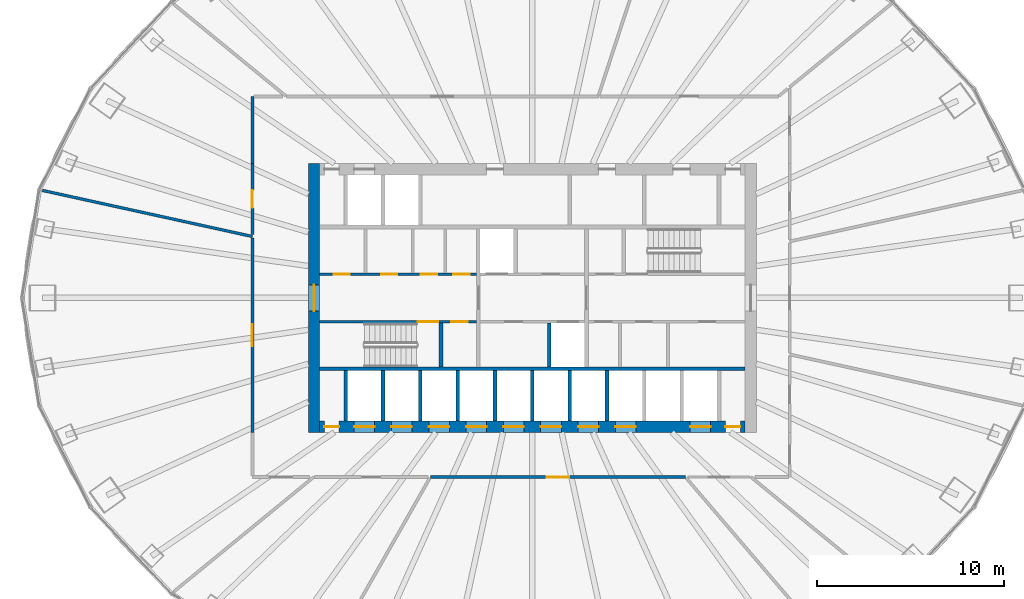
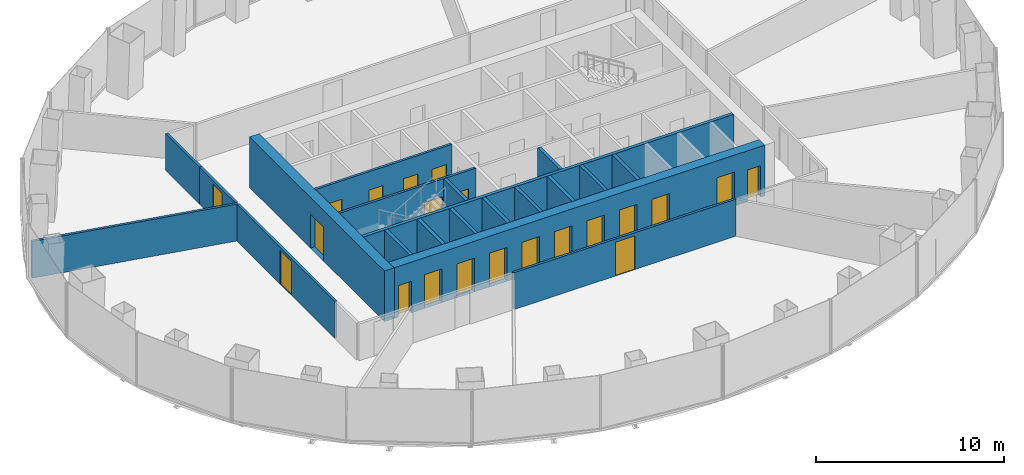
# One storey, part 8 of 11: 21 doors, 20 walls, 21 openings.
"""IFC4 building model written with IfcOpenShell, lengths in metres."""

from ifc_helpers import new_model, si_unit, direction, frame, frame_2d, origin, place, context, subcontext, project, spatial, rectangle, extrude, material, layer, layer_set, type_object, element, fill, save


model = new_model("IFC4")

# Units and contexts
model_context = context("Model", 3, precision=1e-05, world=origin(), true_north=direction((0.0, 1.0)))
body_context = subcontext(model_context, "Body", "Model", "MODEL_VIEW")
ifc_project = project(units=[si_unit("LENGTHUNIT", "METRE"), si_unit("AREAUNIT", "SQUARE_METRE"), si_unit("VOLUMEUNIT", "CUBIC_METRE"), si_unit("PLANEANGLEUNIT", "RADIAN"), si_unit("MASSUNIT", "GRAM", prefix="KILO")], contexts=[model_context])

# Site, building, storey
site_placement = place(None, origin())
site = spatial("IfcSite", under=ifc_project, at=site_placement, CompositionType="ELEMENT")
building_placement = place(site_placement, origin())
building = spatial("IfcBuilding", under=site, at=building_placement, Name="Siaravel Broadcast Tower", CompositionType="ELEMENT")
storey_placement = place(building_placement, frame((0.0, 0.0, 63.0)))
storey = spatial("IfcBuildingStorey", under=building, at=storey_placement, Name="L14", CompositionType="ELEMENT", Elevation=63.0)

# Wall, opening, door
ifc_material_1 = material(Name="Concrete C60/75", Category="concrete")
ifc_layer_1 = layer(ifc_material_1, 0.60009765625)
ifc_layer_set_1 = layer_set([ifc_layer_1], Name="Concrete C60/75")
wall_type_1 = type_object("IfcWallType", Name="Core wall 600", PredefinedType="SHEAR", material=ifc_layer_set_1)
wall_1_placement = place(storey_placement, frame((-11.699951171875, -7.199951171875, 0.0), z_axis=(0.0, 0.0, 1.0), x_axis=(0.0, 1.0, 0.0)))
wall_1 = element("IfcWall", 1, at=wall_1_placement, inside=storey, type_object=wall_type_1, Name="L14 core wall OW", PredefinedType="SHEAR", context=body_context, shape_type="SweptSolid", body=[
    extrude(rectangle(XDim=14.39990234375, YDim=0.60009765625, at=frame_2d((7.199951171875, 0.0))), origin(), (0.0, 0.0, 1.0), 3.300048828125),
])
opening_1_placement = place(wall_1_placement, frame((6.5, 0.0, 0.0)))
opening_1 = element("IfcOpeningElement", 2, at=opening_1_placement, cuts=wall_1, Name="Opening L14-DX-W", PredefinedType="OPENING", context=body_context, shape_type="SweptSolid", body=[
    extrude(rectangle(XDim=1.39990234375, YDim=2.199951171875, at=frame_2d((0.699951171875, 1.10009765625))), frame((0.0, 0.31005859375, 0.0), z_axis=(0.0, -1.0, 0.0), x_axis=(1.0, 0.0, 0.0)), (0.0, 0.0, 1.0), 0.6201171875),
])
ifc_material_2 = material(Name="Steel", Category="steel")
door_type_1 = type_object("IfcDoorType", Name="Core exit door 1400", OperationType="DOUBLE_DOOR_SINGLE_SWING", PredefinedType="DOOR", material=ifc_material_2)
door_1_placement = place(opening_1_placement, origin())
door_1 = element("IfcDoor", 3, at=door_1_placement, inside=storey, type_object=door_type_1, Name="L14 door DX-W", OperationType="DOUBLE_DOOR_SINGLE_SWING", OverallHeight=2.199951171875, OverallWidth=1.39990234375, PredefinedType="DOOR", context=body_context, shape_type="SweptSolid", body=[
    extrude(rectangle(XDim=1.39990234375, YDim=2.199951171875, at=frame_2d((0.699951171875, 1.10009765625))), frame((0.0, 0.02490234375, 0.0), z_axis=(0.0, -1.0, 0.0), x_axis=(1.0, 0.0, 0.0)), (0.0, 0.0, 1.0), 0.050048828125),
])
fill(opening_1, door_1)

# Wall, openings, doors
wall_2_placement = place(storey_placement, frame((-11.39990234375, -6.89990234375, 0.0), z_axis=(0.0, 0.0, 1.0), x_axis=(1.0, 0.0, 0.0)))
wall_2 = element("IfcWall", 4, at=wall_2_placement, inside=storey, type_object=wall_type_1, Name="L14 core wall OS", PredefinedType="SHEAR", context=body_context, shape_type="SweptSolid", body=[
    extrude(rectangle(XDim=22.7998046875, YDim=0.60009765625, at=frame_2d((11.39990234375, 0.0))), origin(), (0.0, 0.0, 1.0), 3.300048828125),
])
opening_2_placement = place(wall_2_placement, frame((1.85009765625, 0.0, 0.0)))
opening_2 = element("IfcOpeningElement", 5, at=opening_2_placement, cuts=wall_2, Name="Opening LD-LP1-L14", PredefinedType="OPENING", context=body_context, shape_type="SweptSolid", body=[
    extrude(rectangle(XDim=1.10009765625, YDim=2.199951171875, at=frame_2d((0.550048828125, 1.10009765625))), frame((0.0, 0.31005859375, 0.0), z_axis=(0.0, -1.0, 0.0), x_axis=(1.0, 0.0, 0.0)), (0.0, 0.0, 1.0), 0.6201171875),
])
opening_3_placement = place(wall_2_placement, frame((3.85009765625, 0.0, 0.0)))
opening_3 = element("IfcOpeningElement", 6, at=opening_3_placement, cuts=wall_2, Name="Opening LD-LP2-L14", PredefinedType="OPENING", context=body_context, shape_type="SweptSolid", body=[
    extrude(rectangle(XDim=1.10009765625, YDim=2.199951171875, at=frame_2d((0.550048828125, 1.10009765625))), frame((0.0, 0.31005859375, 0.0), z_axis=(0.0, -1.0, 0.0), x_axis=(1.0, 0.0, 0.0)), (0.0, 0.0, 1.0), 0.6201171875),
])
opening_4_placement = place(wall_2_placement, frame((5.85009765625, 0.0, 0.0)))
opening_4 = element("IfcOpeningElement", 7, at=opening_4_placement, cuts=wall_2, Name="Opening LD-LP3-L14", PredefinedType="OPENING", context=body_context, shape_type="SweptSolid", body=[
    extrude(rectangle(XDim=1.10009765625, YDim=2.199951171875, at=frame_2d((0.550048828125, 1.10009765625))), frame((0.0, 0.31005859375, 0.0), z_axis=(0.0, -1.0, 0.0), x_axis=(1.0, 0.0, 0.0)), (0.0, 0.0, 1.0), 0.6201171875),
])
opening_5_placement = place(wall_2_placement, frame((7.85009765625, 0.0, 0.0)))
opening_5 = element("IfcOpeningElement", 8, at=opening_5_placement, cuts=wall_2, Name="Opening LD-LP4-L14", PredefinedType="OPENING", context=body_context, shape_type="SweptSolid", body=[
    extrude(rectangle(XDim=1.10009765625, YDim=2.199951171875, at=frame_2d((0.550048828125, 1.10009765625))), frame((0.0, 0.31005859375, 0.0), z_axis=(0.0, -1.0, 0.0), x_axis=(1.0, 0.0, 0.0)), (0.0, 0.0, 1.0), 0.6201171875),
])
opening_6_placement = place(wall_2_placement, frame((9.85009765625, 0.0, 0.0)))
opening_6 = element("IfcOpeningElement", 9, at=opening_6_placement, cuts=wall_2, Name="Opening LD-LP5-L14", PredefinedType="OPENING", context=body_context, shape_type="SweptSolid", body=[
    extrude(rectangle(XDim=1.10009765625, YDim=2.199951171875, at=frame_2d((0.550048828125, 1.10009765625))), frame((0.0, 0.31005859375, 0.0), z_axis=(0.0, -1.0, 0.0), x_axis=(1.0, 0.0, 0.0)), (0.0, 0.0, 1.0), 0.6201171875),
])
opening_7_placement = place(wall_2_placement, frame((11.85009765625, 0.0, 0.0)))
opening_7 = element("IfcOpeningElement", 10, at=opening_7_placement, cuts=wall_2, Name="Opening LD-LP6-L14", PredefinedType="OPENING", context=body_context, shape_type="SweptSolid", body=[
    extrude(rectangle(XDim=1.10009765625, YDim=2.199951171875, at=frame_2d((0.550048828125, 1.10009765625))), frame((0.0, 0.31005859375, 0.0), z_axis=(0.0, -1.0, 0.0), x_axis=(1.0, 0.0, 0.0)), (0.0, 0.0, 1.0), 0.6201171875),
])
opening_8_placement = place(wall_2_placement, frame((13.85009765625, 0.0, 0.0)))
opening_8 = element("IfcOpeningElement", 11, at=opening_8_placement, cuts=wall_2, Name="Opening LD-LP7-L14", PredefinedType="OPENING", context=body_context, shape_type="SweptSolid", body=[
    extrude(rectangle(XDim=1.10009765625, YDim=2.199951171875, at=frame_2d((0.550048828125, 1.10009765625))), frame((0.0, 0.31005859375, 0.0), z_axis=(0.0, -1.0, 0.0), x_axis=(1.0, 0.0, 0.0)), (0.0, 0.0, 1.0), 0.6201171875),
])
opening_9_placement = place(wall_2_placement, frame((15.85009765625, 0.0, 0.0)))
opening_9 = element("IfcOpeningElement", 12, at=opening_9_placement, cuts=wall_2, Name="Opening LD-LP8-L14", PredefinedType="OPENING", context=body_context, shape_type="SweptSolid", body=[
    extrude(rectangle(XDim=1.10009765625, YDim=2.199951171875, at=frame_2d((0.550048828125, 1.10009765625))), frame((0.0, 0.31005859375, 0.0), z_axis=(0.0, -1.0, 0.0), x_axis=(1.0, 0.0, 0.0)), (0.0, 0.0, 1.0), 0.6201171875),
])
opening_10_placement = place(wall_2_placement, frame((19.85009765625, 0.0, 0.0)))
opening_10 = element("IfcOpeningElement", 13, at=opening_10_placement, cuts=wall_2, Name="Opening LD-SV1-L14", PredefinedType="OPENING", context=body_context, shape_type="SweptSolid", body=[
    extrude(rectangle(XDim=1.10009765625, YDim=2.199951171875, at=frame_2d((0.550048828125, 1.10009765625))), frame((0.0, 0.31005859375, 0.0), z_axis=(0.0, -1.0, 0.0), x_axis=(1.0, 0.0, 0.0)), (0.0, 0.0, 1.0), 0.6201171875),
])
opening_11_placement = place(wall_2_placement, frame((0.25, 0.0, 0.0)))
opening_11 = element("IfcOpeningElement", 14, at=opening_11_placement, cuts=wall_2, Name="Opening L14-DRSW", PredefinedType="OPENING", context=body_context, shape_type="SweptSolid", body=[
    extrude(rectangle(XDim=0.800048828125, YDim=2.050048828125, at=frame_2d((0.39990234375, 1.02490234375))), frame((0.0, 0.31005859375, 0.0), z_axis=(0.0, -1.0, 0.0), x_axis=(1.0, 0.0, 0.0)), (0.0, 0.0, 1.0), 0.6201171875),
])
opening_12_placement = place(wall_2_placement, frame((21.75, 0.0, 0.0)))
opening_12 = element("IfcOpeningElement", 15, at=opening_12_placement, cuts=wall_2, Name="Opening L14-DRSE", PredefinedType="OPENING", context=body_context, shape_type="SweptSolid", body=[
    extrude(rectangle(XDim=0.800048828125, YDim=2.050048828125, at=frame_2d((0.39990234375, 1.02490234375))), frame((0.0, 0.31005859375, 0.0), z_axis=(0.0, -1.0, 0.0), x_axis=(1.0, 0.0, 0.0)), (0.0, 0.0, 1.0), 0.6201171875),
])
ifc_material_3 = material(Name="Stainless steel 316L", Category="steel")
door_type_2 = type_object("IfcDoorType", Name="Lift landing door 1100", OperationType="DOUBLE_DOOR_SLIDING", PredefinedType="DOOR", material=ifc_material_3)
door_2_placement = place(opening_2_placement, origin())
door_2 = element("IfcDoor", 16, at=door_2_placement, inside=storey, type_object=door_type_2, Name="Landing door LP1 L14", OperationType="DOUBLE_DOOR_SLIDING", OverallHeight=2.199951171875, OverallWidth=1.10009765625, PredefinedType="DOOR", context=body_context, shape_type="SweptSolid", body=[
    extrude(rectangle(XDim=1.10009765625, YDim=2.199951171875, at=frame_2d((0.550048828125, 1.10009765625))), frame((0.0, 0.02490234375, 0.0), z_axis=(0.0, -1.0, 0.0), x_axis=(1.0, 0.0, 0.0)), (0.0, 0.0, 1.0), 0.050048828125),
])
fill(opening_2, door_2)
door_3_placement = place(opening_3_placement, origin())
door_3 = element("IfcDoor", 17, at=door_3_placement, inside=storey, type_object=door_type_2, Name="Landing door LP2 L14", OperationType="DOUBLE_DOOR_SLIDING", OverallHeight=2.199951171875, OverallWidth=1.10009765625, PredefinedType="DOOR", context=body_context, shape_type="SweptSolid", body=[
    extrude(rectangle(XDim=1.10009765625, YDim=2.199951171875, at=frame_2d((0.550048828125, 1.10009765625))), frame((0.0, 0.02490234375, 0.0), z_axis=(0.0, -1.0, 0.0), x_axis=(1.0, 0.0, 0.0)), (0.0, 0.0, 1.0), 0.050048828125),
])
fill(opening_3, door_3)
door_4_placement = place(opening_4_placement, origin())
door_4 = element("IfcDoor", 18, at=door_4_placement, inside=storey, type_object=door_type_2, Name="Landing door LP3 L14", OperationType="DOUBLE_DOOR_SLIDING", OverallHeight=2.199951171875, OverallWidth=1.10009765625, PredefinedType="DOOR", context=body_context, shape_type="SweptSolid", body=[
    extrude(rectangle(XDim=1.10009765625, YDim=2.199951171875, at=frame_2d((0.550048828125, 1.10009765625))), frame((0.0, 0.02490234375, 0.0), z_axis=(0.0, -1.0, 0.0), x_axis=(1.0, 0.0, 0.0)), (0.0, 0.0, 1.0), 0.050048828125),
])
fill(opening_4, door_4)
door_5_placement = place(opening_5_placement, origin())
door_5 = element("IfcDoor", 19, at=door_5_placement, inside=storey, type_object=door_type_2, Name="Landing door LP4 L14", OperationType="DOUBLE_DOOR_SLIDING", OverallHeight=2.199951171875, OverallWidth=1.10009765625, PredefinedType="DOOR", context=body_context, shape_type="SweptSolid", body=[
    extrude(rectangle(XDim=1.10009765625, YDim=2.199951171875, at=frame_2d((0.550048828125, 1.10009765625))), frame((0.0, 0.02490234375, 0.0), z_axis=(0.0, -1.0, 0.0), x_axis=(1.0, 0.0, 0.0)), (0.0, 0.0, 1.0), 0.050048828125),
])
fill(opening_5, door_5)
door_6_placement = place(opening_6_placement, origin())
door_6 = element("IfcDoor", 20, at=door_6_placement, inside=storey, type_object=door_type_2, Name="Landing door LP5 L14", OperationType="DOUBLE_DOOR_SLIDING", OverallHeight=2.199951171875, OverallWidth=1.10009765625, PredefinedType="DOOR", context=body_context, shape_type="SweptSolid", body=[
    extrude(rectangle(XDim=1.10009765625, YDim=2.199951171875, at=frame_2d((0.550048828125, 1.10009765625))), frame((0.0, 0.02490234375, 0.0), z_axis=(0.0, -1.0, 0.0), x_axis=(1.0, 0.0, 0.0)), (0.0, 0.0, 1.0), 0.050048828125),
])
fill(opening_6, door_6)
door_7_placement = place(opening_7_placement, origin())
door_7 = element("IfcDoor", 21, at=door_7_placement, inside=storey, type_object=door_type_2, Name="Landing door LP6 L14", OperationType="DOUBLE_DOOR_SLIDING", OverallHeight=2.199951171875, OverallWidth=1.10009765625, PredefinedType="DOOR", context=body_context, shape_type="SweptSolid", body=[
    extrude(rectangle(XDim=1.10009765625, YDim=2.199951171875, at=frame_2d((0.550048828125, 1.10009765625))), frame((0.0, 0.02490234375, 0.0), z_axis=(0.0, -1.0, 0.0), x_axis=(1.0, 0.0, 0.0)), (0.0, 0.0, 1.0), 0.050048828125),
])
fill(opening_7, door_7)
door_8_placement = place(opening_8_placement, origin())
door_8 = element("IfcDoor", 22, at=door_8_placement, inside=storey, type_object=door_type_2, Name="Landing door LP7 L14", OperationType="DOUBLE_DOOR_SLIDING", OverallHeight=2.199951171875, OverallWidth=1.10009765625, PredefinedType="DOOR", context=body_context, shape_type="SweptSolid", body=[
    extrude(rectangle(XDim=1.10009765625, YDim=2.199951171875, at=frame_2d((0.550048828125, 1.10009765625))), frame((0.0, 0.02490234375, 0.0), z_axis=(0.0, -1.0, 0.0), x_axis=(1.0, 0.0, 0.0)), (0.0, 0.0, 1.0), 0.050048828125),
])
fill(opening_8, door_8)
door_9_placement = place(opening_9_placement, origin())
door_9 = element("IfcDoor", 23, at=door_9_placement, inside=storey, type_object=door_type_2, Name="Landing door LP8 L14", OperationType="DOUBLE_DOOR_SLIDING", OverallHeight=2.199951171875, OverallWidth=1.10009765625, PredefinedType="DOOR", context=body_context, shape_type="SweptSolid", body=[
    extrude(rectangle(XDim=1.10009765625, YDim=2.199951171875, at=frame_2d((0.550048828125, 1.10009765625))), frame((0.0, 0.02490234375, 0.0), z_axis=(0.0, -1.0, 0.0), x_axis=(1.0, 0.0, 0.0)), (0.0, 0.0, 1.0), 0.050048828125),
])
fill(opening_9, door_9)
door_type_3 = type_object("IfcDoorType", Name="Riser door 800", OperationType="SINGLE_SWING_LEFT", PredefinedType="DOOR", material=ifc_material_2)
door_10_placement = place(opening_11_placement, origin())
door_10 = element("IfcDoor", 24, at=door_10_placement, inside=storey, type_object=door_type_3, Name="L14 door DRSW", OperationType="SINGLE_SWING_LEFT", OverallHeight=2.050048828125, OverallWidth=0.800048828125, PredefinedType="DOOR", context=body_context, shape_type="SweptSolid", body=[
    extrude(rectangle(XDim=0.800048828125, YDim=2.050048828125, at=frame_2d((0.39990234375, 1.02490234375))), frame((0.0, 0.02490234375, 0.0), z_axis=(0.0, -1.0, 0.0), x_axis=(1.0, 0.0, 0.0)), (0.0, 0.0, 1.0), 0.050048828125),
])
fill(opening_11, door_10)
door_11_placement = place(opening_12_placement, origin())
door_11 = element("IfcDoor", 25, at=door_11_placement, inside=storey, type_object=door_type_3, Name="L14 door DRSE", OperationType="SINGLE_SWING_LEFT", OverallHeight=2.050048828125, OverallWidth=0.800048828125, PredefinedType="DOOR", context=body_context, shape_type="SweptSolid", body=[
    extrude(rectangle(XDim=0.800048828125, YDim=2.050048828125, at=frame_2d((0.39990234375, 1.02490234375))), frame((0.0, 0.02490234375, 0.0), z_axis=(0.0, -1.0, 0.0), x_axis=(1.0, 0.0, 0.0)), (0.0, 0.0, 1.0), 0.050048828125),
])
fill(opening_12, door_11)
door_type_4 = type_object("IfcDoorType", Name="Service lift landing door 1100", OperationType="DOUBLE_DOOR_SLIDING", PredefinedType="DOOR", material=ifc_material_3)
door_12_placement = place(opening_10_placement, origin())
door_12 = element("IfcDoor", 26, at=door_12_placement, inside=storey, type_object=door_type_4, Name="Landing door SV1 L14", OperationType="DOUBLE_DOOR_SLIDING", OverallHeight=2.199951171875, OverallWidth=1.10009765625, PredefinedType="DOOR", context=body_context, shape_type="SweptSolid", body=[
    extrude(rectangle(XDim=1.10009765625, YDim=2.199951171875, at=frame_2d((0.550048828125, 1.10009765625))), frame((0.0, 0.02490234375, 0.0), z_axis=(0.0, -1.0, 0.0), x_axis=(1.0, 0.0, 0.0)), (0.0, 0.0, 1.0), 0.050048828125),
])
fill(opening_10, door_12)

ifc_material_4 = material(Name="Gypsum board partition", Category="gypsum")
ifc_layer_2 = layer(ifc_material_4, 0.14990234375)
ifc_layer_set_2 = layer_set([ifc_layer_2], Name="Gypsum board partition")
wall_type_2 = type_object("IfcWallType", Name="Corridor wall 150", PredefinedType="PARTITIONING", material=ifc_layer_set_2)
wall_3_placement = place(storey_placement, frame((-11.39990234375, 1.27490234375, 0.0), z_axis=(0.0, 0.0, 1.0), x_axis=(1.0, 0.0, 0.0)))
wall_3 = element("IfcWall", 27, at=wall_3_placement, inside=storey, type_object=wall_type_2, Name="L14 core partition CNW", PredefinedType="PARTITIONING", context=body_context, shape_type="SweptSolid", body=[
    extrude(rectangle(XDim=8.39990234375, YDim=0.14990234375, at=frame_2d((4.199951171875, 0.0))), origin(), (0.0, 0.0, 1.0), 3.300048828125),
])
opening_13_placement = place(wall_3_placement, frame((0.767578125, 0.0, 0.0)))
opening_13 = element("IfcOpeningElement", 28, at=opening_13_placement, cuts=wall_3, Name="Opening L14-DNW0", PredefinedType="OPENING", context=body_context, shape_type="SweptSolid", body=[
    extrude(rectangle(XDim=0.85009765625, YDim=2.10009765625, at=frame_2d((0.425048828125, 1.050048828125))), frame((0.0, 0.0849609375, 0.0), z_axis=(0.0, -1.0, 0.0), x_axis=(1.0, 0.0, 0.0)), (0.0, 0.0, 1.0), 0.169921875),
])
opening_14_placement = place(wall_3_placement, frame((3.302490234375, 0.0, 0.0)))
opening_14 = element("IfcOpeningElement", 29, at=opening_14_placement, cuts=wall_3, Name="Opening L14-DNW1", PredefinedType="OPENING", context=body_context, shape_type="SweptSolid", body=[
    extrude(rectangle(XDim=0.85009765625, YDim=2.10009765625, at=frame_2d((0.425048828125, 1.050048828125))), frame((0.0, 0.0849609375, 0.0), z_axis=(0.0, -1.0, 0.0), x_axis=(1.0, 0.0, 0.0)), (0.0, 0.0, 1.0), 0.169921875),
])
opening_15_placement = place(wall_3_placement, frame((5.4150390625, 0.0, 0.0)))
opening_15 = element("IfcOpeningElement", 30, at=opening_15_placement, cuts=wall_3, Name="Opening L14-DNW2", PredefinedType="OPENING", context=body_context, shape_type="SweptSolid", body=[
    extrude(rectangle(XDim=0.89990234375, YDim=2.10009765625, at=frame_2d((0.449951171875, 1.050048828125))), frame((0.0, 0.0849609375, 0.0), z_axis=(0.0, -1.0, 0.0), x_axis=(1.0, 0.0, 0.0)), (0.0, 0.0, 1.0), 0.169921875),
])
opening_16_placement = place(wall_3_placement, frame((7.155029296875, 0.0, 0.0)))
opening_16 = element("IfcOpeningElement", 31, at=opening_16_placement, cuts=wall_3, Name="Opening L14-DNW3", PredefinedType="OPENING", context=body_context, shape_type="SweptSolid", body=[
    extrude(rectangle(XDim=0.89990234375, YDim=2.10009765625, at=frame_2d((0.449951171875, 1.050048828125))), frame((0.0, 0.0849609375, 0.0), z_axis=(0.0, -1.0, 0.0), x_axis=(1.0, 0.0, 0.0)), (0.0, 0.0, 1.0), 0.169921875),
])
ifc_material_5 = material(Name="Timber veneer", Category="wood")
door_type_5 = type_object("IfcDoorType", Name="Core room door 900", OperationType="SINGLE_SWING_LEFT", PredefinedType="DOOR", material=ifc_material_5)
door_13_placement = place(opening_15_placement, origin())
door_13 = element("IfcDoor", 32, at=door_13_placement, inside=storey, type_object=door_type_5, Name="L14 door DNW2", OperationType="SINGLE_SWING_LEFT", OverallHeight=2.10009765625, OverallWidth=0.89990234375, PredefinedType="DOOR", context=body_context, shape_type="SweptSolid", body=[
    extrude(rectangle(XDim=0.89990234375, YDim=2.10009765625, at=frame_2d((0.449951171875, 1.050048828125))), frame((0.0, 0.02490234375, 0.0), z_axis=(0.0, -1.0, 0.0), x_axis=(1.0, 0.0, 0.0)), (0.0, 0.0, 1.0), 0.050048828125),
])
fill(opening_15, door_13)
door_14_placement = place(opening_16_placement, origin())
door_14 = element("IfcDoor", 33, at=door_14_placement, inside=storey, type_object=door_type_5, Name="L14 door DNW3", OperationType="SINGLE_SWING_LEFT", OverallHeight=2.10009765625, OverallWidth=0.89990234375, PredefinedType="DOOR", context=body_context, shape_type="SweptSolid", body=[
    extrude(rectangle(XDim=0.89990234375, YDim=2.10009765625, at=frame_2d((0.449951171875, 1.050048828125))), frame((0.0, 0.02490234375, 0.0), z_axis=(0.0, -1.0, 0.0), x_axis=(1.0, 0.0, 0.0)), (0.0, 0.0, 1.0), 0.050048828125),
])
fill(opening_16, door_14)
door_type_6 = type_object("IfcDoorType", Name="Core toilet door 850", OperationType="SINGLE_SWING_LEFT", PredefinedType="DOOR", material=ifc_material_5)
door_15_placement = place(opening_13_placement, origin())
door_15 = element("IfcDoor", 34, at=door_15_placement, inside=storey, type_object=door_type_6, Name="L14 door DNW0", OperationType="SINGLE_SWING_LEFT", OverallHeight=2.10009765625, OverallWidth=0.85009765625, PredefinedType="DOOR", context=body_context, shape_type="SweptSolid", body=[
    extrude(rectangle(XDim=0.85009765625, YDim=2.10009765625, at=frame_2d((0.425048828125, 1.050048828125))), frame((0.0, 0.02490234375, 0.0), z_axis=(0.0, -1.0, 0.0), x_axis=(1.0, 0.0, 0.0)), (0.0, 0.0, 1.0), 0.050048828125),
])
fill(opening_13, door_15)
door_16_placement = place(opening_14_placement, origin())
door_16 = element("IfcDoor", 35, at=door_16_placement, inside=storey, type_object=door_type_6, Name="L14 door DNW1", OperationType="SINGLE_SWING_LEFT", OverallHeight=2.10009765625, OverallWidth=0.85009765625, PredefinedType="DOOR", context=body_context, shape_type="SweptSolid", body=[
    extrude(rectangle(XDim=0.85009765625, YDim=2.10009765625, at=frame_2d((0.425048828125, 1.050048828125))), frame((0.0, 0.02490234375, 0.0), z_axis=(0.0, -1.0, 0.0), x_axis=(1.0, 0.0, 0.0)), (0.0, 0.0, 1.0), 0.050048828125),
])
fill(opening_14, door_16)

# Wall, opening, door
wall_4_placement = place(storey_placement, frame((-5.465087890625, -9.60009765625, 0.0), z_axis=(0.0, 0.0, 1.0), x_axis=(1.0, 0.0, 0.0)))
wall_4 = element("IfcWall", 36, at=wall_4_placement, inside=storey, type_object=wall_type_2, Name="L14 partition 2", PredefinedType="PARTITIONING", context=body_context, shape_type="SweptSolid", body=[
    extrude(rectangle(XDim=13.671630859375, YDim=0.14990234375, at=frame_2d((6.8359375, 0.0))), origin(), (0.0, 0.0, 1.0), 2.39990234375),
])
opening_17_placement = place(wall_4_placement, frame((6.23583984375, 0.0, 0.0)))
opening_17 = element("IfcOpeningElement", 37, at=opening_17_placement, cuts=wall_4, Name="Opening L14-012", PredefinedType="OPENING", context=body_context, shape_type="SweptSolid", body=[
    extrude(rectangle(XDim=1.199951171875, YDim=2.199951171875, at=frame_2d((0.60009765625, 1.10009765625))), frame((0.0, 0.0849609375, 0.0), z_axis=(0.0, -1.0, 0.0), x_axis=(1.0, 0.0, 0.0)), (0.0, 0.0, 1.0), 0.169921875),
])
door_type_7 = type_object("IfcDoorType", Name="Office double door 1200", OperationType="DOUBLE_DOOR_SINGLE_SWING", PredefinedType="DOOR", material=ifc_material_5)
door_17_placement = place(opening_17_placement, origin())
door_17 = element("IfcDoor", 38, at=door_17_placement, inside=storey, type_object=door_type_7, Name="L14 door to Open plan newsroom", OperationType="DOUBLE_DOOR_SINGLE_SWING", OverallHeight=2.199951171875, OverallWidth=1.199951171875, PredefinedType="DOOR", context=body_context, shape_type="SweptSolid", body=[
    extrude(rectangle(XDim=1.199951171875, YDim=2.199951171875, at=frame_2d((0.60009765625, 1.10009765625))), frame((0.0, 0.02490234375, 0.0), z_axis=(0.0, -1.0, 0.0), x_axis=(1.0, 0.0, 0.0)), (0.0, 0.0, 1.0), 0.050048828125),
])
fill(opening_17, door_17)

wall_5_placement = place(storey_placement, frame((-15.0, 3.217041015625, 0.0), z_axis=(0.0, 0.0, 1.0), x_axis=(0.0, -1.0, 0.0)))
wall_5 = element("IfcWall", 39, at=wall_5_placement, inside=storey, type_object=wall_type_2, Name="L14 partition 9", PredefinedType="PARTITIONING", context=body_context, shape_type="SweptSolid", body=[
    extrude(rectangle(XDim=10.428955078125, YDim=0.14990234375, at=frame_2d((5.21435546875, 0.0))), origin(), (0.0, 0.0, 1.0), 2.39990234375),
])
opening_18_placement = place(wall_5_placement, frame((4.614501953125, 0.0, 0.0)))
opening_18 = element("IfcOpeningElement", 40, at=opening_18_placement, cuts=wall_5, Name="Opening L14-009", PredefinedType="OPENING", context=body_context, shape_type="SweptSolid", body=[
    extrude(rectangle(XDim=1.199951171875, YDim=2.199951171875, at=frame_2d((0.60009765625, 1.10009765625))), frame((0.0, 0.0849609375, 0.0), z_axis=(0.0, -1.0, 0.0), x_axis=(1.0, 0.0, 0.0)), (0.0, 0.0, 1.0), 0.169921875),
])
door_18_placement = place(opening_18_placement, origin())
door_18 = element("IfcDoor", 41, at=door_18_placement, inside=storey, type_object=door_type_7, Name="L14 door to Open plan newsroom", OperationType="DOUBLE_DOOR_SINGLE_SWING", OverallHeight=2.199951171875, OverallWidth=1.199951171875, PredefinedType="DOOR", context=body_context, shape_type="SweptSolid", body=[
    extrude(rectangle(XDim=1.199951171875, YDim=2.199951171875, at=frame_2d((0.60009765625, 1.10009765625))), frame((0.0, 0.02490234375, 0.0), z_axis=(0.0, -1.0, 0.0), x_axis=(1.0, 0.0, 0.0)), (0.0, 0.0, 1.0), 0.050048828125),
])
fill(opening_18, door_18)

wall_6_placement = place(storey_placement, frame((-15.0, 7.2119140625, 0.0), z_axis=(0.0, 0.0, 1.0), x_axis=(0.0, -1.0, 0.0)))
wall_6 = element("IfcWall", 42, at=wall_6_placement, inside=storey, type_object=wall_type_2, Name="L14 partition 20", PredefinedType="PARTITIONING", context=body_context, shape_type="SweptSolid", body=[
    extrude(rectangle(XDim=3.824462890625, YDim=0.14990234375, at=frame_2d((1.912109375, 0.0))), origin(), (0.0, 0.0, 1.0), 2.39990234375),
])
opening_19_placement = place(wall_6_placement, frame((1.437255859375, 0.0, 0.0)))
opening_19 = element("IfcOpeningElement", 43, at=opening_19_placement, cuts=wall_6, Name="Opening L14-008", PredefinedType="OPENING", context=body_context, shape_type="SweptSolid", body=[
    extrude(rectangle(XDim=0.949951171875, YDim=2.14990234375, at=frame_2d((0.47509765625, 1.074951171875))), frame((0.0, 0.0849609375, 0.0), z_axis=(0.0, -1.0, 0.0), x_axis=(1.0, 0.0, 0.0)), (0.0, 0.0, 1.0), 0.169921875),
])
door_type_8 = type_object("IfcDoorType", Name="Office door 950", OperationType="SINGLE_SWING_LEFT", PredefinedType="DOOR", material=ifc_material_5)
door_19_placement = place(opening_19_placement, origin())
door_19 = element("IfcDoor", 44, at=door_19_placement, inside=storey, type_object=door_type_8, Name="L14 door to Graphics studio", OperationType="SINGLE_SWING_RIGHT", OverallHeight=2.14990234375, OverallWidth=0.949951171875, PredefinedType="DOOR", context=body_context, shape_type="SweptSolid", body=[
    extrude(rectangle(XDim=0.949951171875, YDim=2.14990234375, at=frame_2d((0.47509765625, 1.074951171875))), frame((0.0, 0.02490234375, 0.0), z_axis=(0.0, -1.0, 0.0), x_axis=(1.0, 0.0, 0.0)), (0.0, 0.0, 1.0), 0.050048828125),
])
fill(opening_19, door_19)

# Walls
wall_7_placement = place(storey_placement, frame((-15.0, 10.800048828125, 0.0), z_axis=(0.0, 0.0, 1.0), x_axis=(0.0, -1.0, 0.0)))
element("IfcWall", 45, at=wall_7_placement, inside=storey, type_object=wall_type_2, Name="L14 partition 21", PredefinedType="PARTITIONING", context=body_context, shape_type="SweptSolid", body=[
    extrude(rectangle(XDim=3.587158203125, YDim=0.14990234375, at=frame_2d((1.79345703125, 0.0))), origin(), (0.0, 0.0, 1.0), 2.39990234375),
])
ifc_layer_3 = layer(ifc_material_4, 0.14990234375)
ifc_layer_set_3 = layer_set([ifc_layer_3], Name="Gypsum board partition")
wall_type_3 = type_object("IfcWallType", Name="Room partition 150", PredefinedType="PARTITIONING", material=ifc_layer_set_3)
wall_8_placement = place(storey_placement, frame((-26.25048828125, 5.761474609375, 0.0), z_axis=(0.0, 0.0, 1.0), x_axis=(0.976751272, -0.214375729, 0.0)))
element("IfcWall", 46, at=wall_8_placement, inside=storey, type_object=wall_type_3, Name="L14 partition 6", PredefinedType="PARTITIONING", context=body_context, shape_type="SweptSolid", body=[
    extrude(rectangle(XDim=11.518310546875, YDim=0.14990234375, at=frame_2d((5.75927734375, 0.0))), origin(), (0.0, 0.0, 1.0), 2.39990234375),
])

# Wall, openings, doors
ifc_layer_4 = layer(ifc_material_1, 0.14990234375)
ifc_layer_set_4 = layer_set([ifc_layer_4], Name="Concrete C60/75")
wall_type_4 = type_object("IfcWallType", Name="Shaft wall 150", PredefinedType="SHEAR", material=ifc_layer_set_4)
wall_9_placement = place(storey_placement, frame((-11.39990234375, -1.27490234375, 0.0), z_axis=(0.0, 0.0, 1.0), x_axis=(1.0, 0.0, 0.0)))
wall_9 = element("IfcWall", 47, at=wall_9_placement, inside=storey, type_object=wall_type_4, Name="L14 core wall CSW", PredefinedType="SHEAR", context=body_context, shape_type="SweptSolid", body=[
    extrude(rectangle(XDim=8.39990234375, YDim=0.14990234375, at=frame_2d((4.199951171875, 0.0))), origin(), (0.0, 0.0, 1.0), 3.300048828125),
])
opening_20_placement = place(wall_9_placement, frame((5.25, 0.0, 0.0)))
opening_20 = element("IfcOpeningElement", 48, at=opening_20_placement, cuts=wall_9, Name="Opening L14-DS-1", PredefinedType="OPENING", context=body_context, shape_type="SweptSolid", body=[
    extrude(rectangle(XDim=1.10009765625, YDim=2.14990234375, at=frame_2d((0.550048828125, 1.074951171875))), frame((0.0, 0.0849609375, 0.0), z_axis=(0.0, -1.0, 0.0), x_axis=(1.0, 0.0, 0.0)), (0.0, 0.0, 1.0), 0.169921875),
])
opening_21_placement = place(wall_9_placement, frame((7.050048828125, 0.0, 0.0)))
opening_21 = element("IfcOpeningElement", 49, at=opening_21_placement, cuts=wall_9, Name="Opening L14-DSW0", PredefinedType="OPENING", context=body_context, shape_type="SweptSolid", body=[
    extrude(rectangle(XDim=0.89990234375, YDim=2.10009765625, at=frame_2d((0.449951171875, 1.050048828125))), frame((0.0, 0.0849609375, 0.0), z_axis=(0.0, -1.0, 0.0), x_axis=(1.0, 0.0, 0.0)), (0.0, 0.0, 1.0), 0.169921875),
])
door_20_placement = place(opening_21_placement, origin())
door_20 = element("IfcDoor", 50, at=door_20_placement, inside=storey, type_object=door_type_5, Name="L14 door DSW0", OperationType="SINGLE_SWING_LEFT", OverallHeight=2.10009765625, OverallWidth=0.89990234375, PredefinedType="DOOR", context=body_context, shape_type="SweptSolid", body=[
    extrude(rectangle(XDim=0.89990234375, YDim=2.10009765625, at=frame_2d((0.449951171875, 1.050048828125))), frame((0.0, 0.02490234375, 0.0), z_axis=(0.0, -1.0, 0.0), x_axis=(1.0, 0.0, 0.0)), (0.0, 0.0, 1.0), 0.050048828125),
])
fill(opening_21, door_20)
door_type_9 = type_object("IfcDoorType", Name="Stair door 1100", OperationType="SINGLE_SWING_LEFT", PredefinedType="DOOR", material=ifc_material_2)
door_21_placement = place(opening_20_placement, origin())
door_21 = element("IfcDoor", 51, at=door_21_placement, inside=storey, type_object=door_type_9, Name="L14 door DS-1", OperationType="SINGLE_SWING_LEFT", OverallHeight=2.14990234375, OverallWidth=1.10009765625, PredefinedType="DOOR", context=body_context, shape_type="SweptSolid", body=[
    extrude(rectangle(XDim=1.10009765625, YDim=2.14990234375, at=frame_2d((0.550048828125, 1.074951171875))), frame((0.0, 0.02490234375, 0.0), z_axis=(0.0, -1.0, 0.0), x_axis=(1.0, 0.0, 0.0)), (0.0, 0.0, 1.0), 0.050048828125),
])
fill(opening_20, door_21)

# Walls
ifc_layer_5 = layer(ifc_material_1, 0.199951171875)
ifc_layer_set_5 = layer_set([ifc_layer_5], Name="Concrete C60/75")
wall_type_5 = type_object("IfcWallType", Name="Shaft wall 200", PredefinedType="SHEAR", material=ifc_layer_set_5)
wall_10_placement = place(storey_placement, frame((-11.39990234375, -3.800048828125, 0.0), z_axis=(0.0, 0.0, 1.0), x_axis=(1.0, 0.0, 0.0)))
element("IfcWall", 52, at=wall_10_placement, inside=storey, type_object=wall_type_5, Name="L14 core wall BS", PredefinedType="SHEAR", context=body_context, shape_type="SweptSolid", body=[
    extrude(rectangle(XDim=22.7998046875, YDim=0.199951171875, at=frame_2d((11.39990234375, 0.0))), origin(), (0.0, 0.0, 1.0), 3.300048828125),
])
for number, where, z_axis, x_axis, name in (
    (53, (-10.0, -6.60009765625, 0.0), (0.0, 0.0, 1.0), (0.0, 1.0, 0.0), "L14 core wall SWS0"),
    (54, (-8.0, -6.60009765625, 0.0), (0.0, 0.0, 1.0), (0.0, 1.0, 0.0), "L14 core wall SWS1"),
    (55, (-6.0, -6.60009765625, 0.0), (0.0, 0.0, 1.0), (0.0, 1.0, 0.0), "L14 core wall SWS2"),
    (56, (-4.0, -6.60009765625, 0.0), (0.0, 0.0, 1.0), (0.0, 1.0, 0.0), "L14 core wall SWS3"),
    (57, (-2.0, -6.60009765625, 0.0), (0.0, 0.0, 1.0), (0.0, 1.0, 0.0), "L14 core wall SWS4"),
    (58, (0.0, -6.60009765625, 0.0), (0.0, 0.0, 1.0), (0.0, 1.0, 0.0), "L14 core wall SWS5"),
    (59, (2.0, -6.60009765625, 0.0), (0.0, 0.0, 1.0), (0.0, 1.0, 0.0), "L14 core wall SWS6"),
    (60, (4.0, -6.60009765625, 0.0), (0.0, 0.0, 1.0), (0.0, 1.0, 0.0), "L14 core wall SWS7"),
):
    element("IfcWall", number, at=place(storey_placement, frame(where, z_axis=z_axis, x_axis=x_axis)), inside=storey, type_object=wall_type_5, Name=name, PredefinedType="SHEAR", context=body_context, shape_type="SweptSolid", body=[
        extrude(rectangle(XDim=2.7001953125, YDim=0.199951171875, at=frame_2d((1.35009765625, 0.0))), origin(), (0.0, 0.0, 1.0), 3.300048828125),
    ])
for number, where, z_axis, x_axis, name in (
    (61, (0.89990234375, -3.699951171875, 0.0), (0.0, 0.0, 1.0), (0.0, 1.0, 0.0), "L14 core wall FF2W"),
    (62, (-4.89990234375, -3.699951171875, 0.0), (0.0, 0.0, 1.0), (0.0, 1.0, 0.0), "L14 core wall ST1E"),
):
    element("IfcWall", number, at=place(storey_placement, frame(where, z_axis=z_axis, x_axis=x_axis)), inside=storey, type_object=wall_type_5, Name=name, PredefinedType="SHEAR", context=body_context, shape_type="SweptSolid", body=[
        extrude(rectangle(XDim=2.349853515625, YDim=0.199951171875, at=frame_2d((1.1748046875, 0.0))), origin(), (0.0, 0.0, 1.0), 3.300048828125),
    ])

save(model, "model.ifc")
